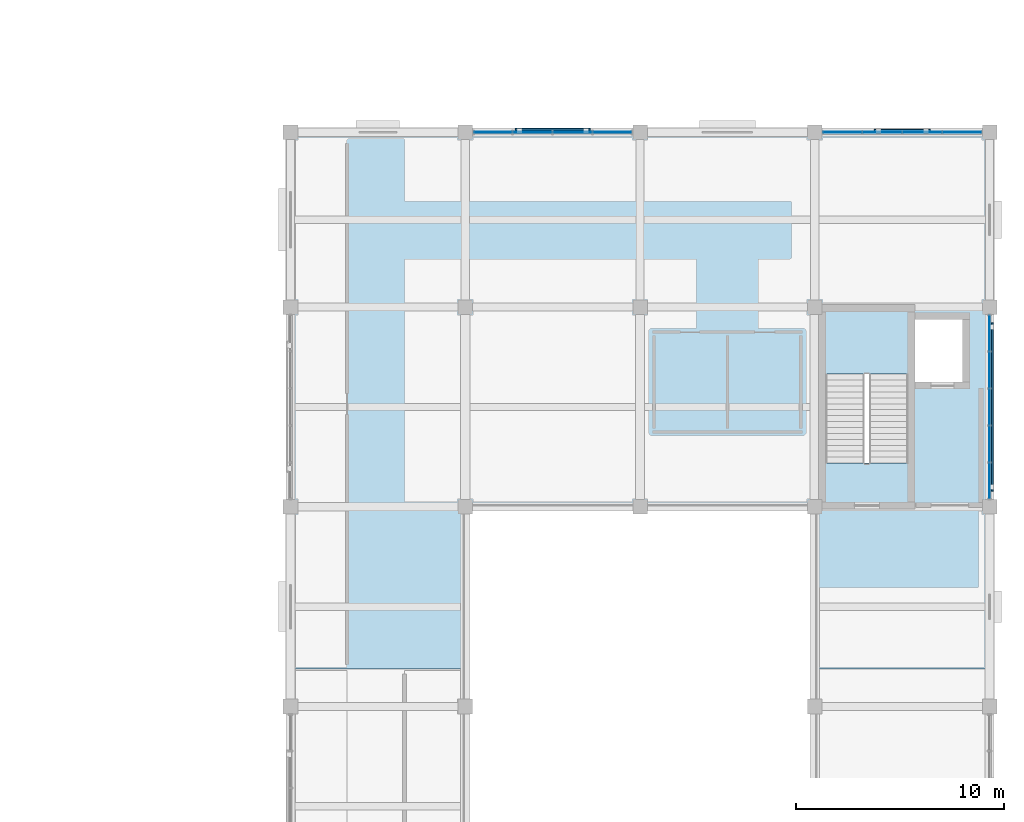
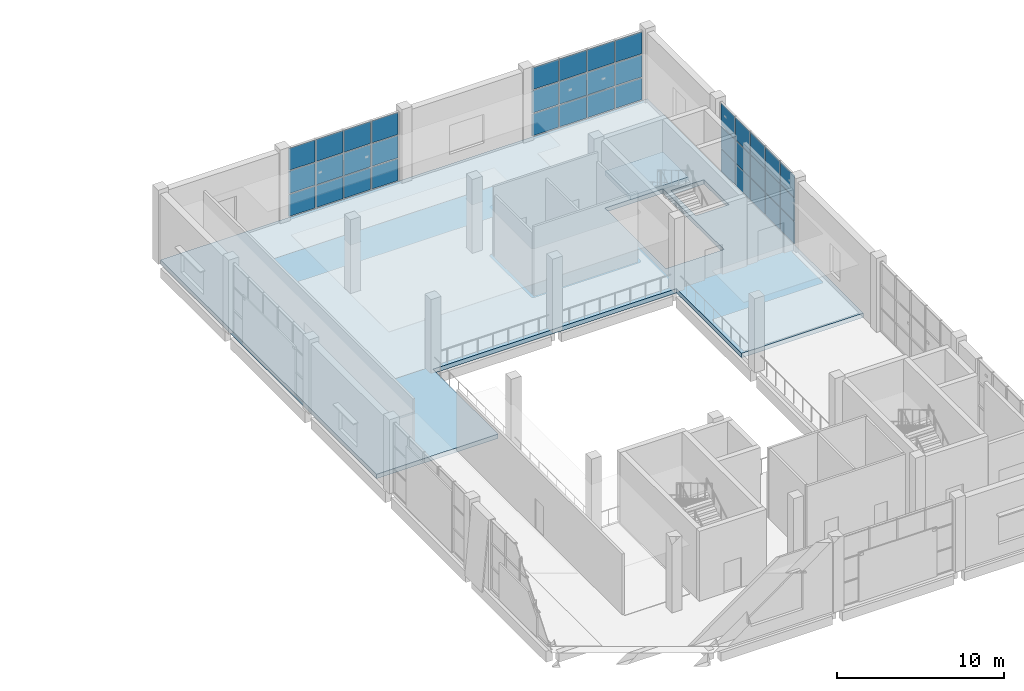
# One storey, part 43 of 72: 42 plates, 2 slabs, 4 elements without a shape of their own.
"""IFC4 building model written with IfcOpenShell, lengths in metres."""

from ifc_helpers import new_model, si_unit, direction, frame, origin, origin_2d, place, context, subcontext, project, spatial, polyline, rectangle, outline, extrude, material, layer, layer_set, type_object, element, aggregate, save


model = new_model("IFC4")

# Units and contexts
model_context = context("Model", 3, precision=1e-05, world=origin(), true_north=direction((0.0, 1.0)))
body_context = subcontext(model_context, "Body", "Model", "MODEL_VIEW")
ifc_project = project(units=[si_unit("LENGTHUNIT", "METRE"), si_unit("AREAUNIT", "SQUARE_METRE"), si_unit("VOLUMEUNIT", "CUBIC_METRE"), si_unit("PLANEANGLEUNIT", "RADIAN"), si_unit("MASSUNIT", "GRAM", prefix="KILO")], contexts=[model_context])

# Site, building, storey
site_placement = place(None, origin())
site = spatial("IfcSite", under=ifc_project, at=site_placement, CompositionType="ELEMENT")
building_placement = place(site_placement, origin())
building = spatial("IfcBuilding", under=site, at=building_placement, Name="Shalvenor Court Art Gallery", CompositionType="ELEMENT")
storey_placement = place(building_placement, frame((0.0, 0.0, 11.39990234375)))
storey = spatial("IfcBuildingStorey", under=building, at=storey_placement, Name="L02", CompositionType="ELEMENT", Elevation=11.39990234375)

# Curtain wall, plates
ifc_material_1 = material(Name="Anodised aluminium and low-iron glass curtain wall", Category="aluminium")
curtain_wall_type_1 = type_object("IfcCurtainWallType", Name="CW-4x3-77-51-422", PredefinedType="USERDEFINED", material=ifc_material_1)
curtain_wall_1_placement = place(storey_placement, origin())
curtain_wall_1 = element("IfcCurtainWall", 1, at=curtain_wall_1_placement, inside=storey, type_object=curtain_wall_type_1, Name="L02 V1 Curtain Wall CW-L02-010", ObjectType="CURTAIN WALL", PredefinedType="USERDEFINED")
ifc_material_2 = material(Name="Low-iron triple-silver solar gallery glazing IGU", Category="glass")
ifc_layer_1 = layer(ifc_material_2, 0.031982421875, Name="Low-iron triple-silver solar gallery glazing IGU")
ifc_layer_set_1 = layer_set([ifc_layer_1], Name="Low-iron triple-silver solar gallery glazing IGU")
plate_type_1 = type_object("IfcPlateType", Name="CWP-02", PredefinedType="CURTAIN_PANEL", material=ifc_layer_set_1)
plate_1_placement = place(storey_placement, frame((152.53125, 97.199951171875, 0.065185546875), z_axis=(0.0, 0.0, 1.0), x_axis=(1.0, 0.0, 0.0)))
plate_1 = element("IfcPlate", 2, at=plate_1_placement, type_object=plate_type_1, Name="CW-4x3-77-51-422 panel 1.1", PredefinedType="CURTAIN_PANEL", context=body_context, shape_type="SweptSolid", body=[
    extrude(rectangle(XDim=1.8125, YDim=0.031982421875, at=origin_2d()), origin(), (0.0, 0.0, 1.0), 1.6025390625),
])
plate_2_placement = place(storey_placement, frame((152.53125, 97.199951171875, 1.732421875), z_axis=(0.0, 0.0, 1.0), x_axis=(1.0, 0.0, 0.0)))
plate_2 = element("IfcPlate", 3, at=plate_2_placement, type_object=plate_type_1, Name="CW-4x3-77-51-422 panel 1.2", PredefinedType="CURTAIN_PANEL", context=body_context, shape_type="SweptSolid", body=[
    extrude(rectangle(XDim=1.8125, YDim=0.031982421875, at=origin_2d()), origin(), (0.0, 0.0, 1.0), 1.635009765625),
])
plate_3_placement = place(storey_placement, frame((152.53125, 97.199951171875, 3.4326171875), z_axis=(0.0, 0.0, 1.0), x_axis=(1.0, 0.0, 0.0)))
plate_3 = element("IfcPlate", 4, at=plate_3_placement, type_object=plate_type_1, Name="CW-4x3-77-51-422 panel 1.3", PredefinedType="CURTAIN_PANEL", context=body_context, shape_type="SweptSolid", body=[
    extrude(rectangle(XDim=1.8125, YDim=0.031982421875, at=origin_2d()), origin(), (0.0, 0.0, 1.0), 1.6025390625),
])
plate_4_placement = place(storey_placement, frame((154.4375, 97.199951171875, 0.065185546875), z_axis=(0.0, 0.0, 1.0), x_axis=(1.0, 0.0, 0.0)))
plate_4 = element("IfcPlate", 5, at=plate_4_placement, type_object=plate_type_1, Name="CW-4x3-77-51-422 panel 2.1", PredefinedType="CURTAIN_PANEL", context=body_context, shape_type="SweptSolid", body=[
    extrude(rectangle(XDim=1.85009765625, YDim=0.031982421875, at=origin_2d()), origin(), (0.0, 0.0, 1.0), 1.6025390625),
])
plate_5_placement = place(storey_placement, frame((154.4375, 97.199951171875, 1.732421875), z_axis=(0.0, 0.0, 1.0), x_axis=(1.0, 0.0, 0.0)))
plate_5 = element("IfcPlate", 6, at=plate_5_placement, type_object=plate_type_1, Name="CW-4x3-77-51-422 panel 2.2", PredefinedType="CURTAIN_PANEL", context=body_context, shape_type="SweptSolid", body=[
    extrude(rectangle(XDim=1.85009765625, YDim=0.031982421875, at=origin_2d()), origin(), (0.0, 0.0, 1.0), 1.635009765625),
])
plate_6_placement = place(storey_placement, frame((154.4375, 97.199951171875, 3.4326171875), z_axis=(0.0, 0.0, 1.0), x_axis=(1.0, 0.0, 0.0)))
plate_6 = element("IfcPlate", 7, at=plate_6_placement, type_object=plate_type_1, Name="CW-4x3-77-51-422 panel 2.3", PredefinedType="CURTAIN_PANEL", context=body_context, shape_type="SweptSolid", body=[
    extrude(rectangle(XDim=1.85009765625, YDim=0.031982421875, at=origin_2d()), origin(), (0.0, 0.0, 1.0), 1.6025390625),
])
plate_7_placement = place(storey_placement, frame((156.362548828125, 97.199951171875, 0.065185546875), z_axis=(0.0, 0.0, 1.0), x_axis=(1.0, 0.0, 0.0)))
plate_7 = element("IfcPlate", 8, at=plate_7_placement, type_object=plate_type_1, Name="CW-4x3-77-51-422 panel 3.1", PredefinedType="CURTAIN_PANEL", context=body_context, shape_type="SweptSolid", body=[
    extrude(rectangle(XDim=1.85009765625, YDim=0.031982421875, at=origin_2d()), origin(), (0.0, 0.0, 1.0), 1.6025390625),
])
plate_8_placement = place(storey_placement, frame((156.362548828125, 97.199951171875, 1.732421875), z_axis=(0.0, 0.0, 1.0), x_axis=(1.0, 0.0, 0.0)))
plate_8 = element("IfcPlate", 9, at=plate_8_placement, type_object=plate_type_1, Name="CW-4x3-77-51-422 panel 3.2", PredefinedType="CURTAIN_PANEL", context=body_context, shape_type="SweptSolid", body=[
    extrude(rectangle(XDim=1.85009765625, YDim=0.031982421875, at=origin_2d()), origin(), (0.0, 0.0, 1.0), 1.635009765625),
])
plate_9_placement = place(storey_placement, frame((156.362548828125, 97.199951171875, 3.4326171875), z_axis=(0.0, 0.0, 1.0), x_axis=(1.0, 0.0, 0.0)))
plate_9 = element("IfcPlate", 10, at=plate_9_placement, type_object=plate_type_1, Name="CW-4x3-77-51-422 panel 3.3", PredefinedType="CURTAIN_PANEL", context=body_context, shape_type="SweptSolid", body=[
    extrude(rectangle(XDim=1.85009765625, YDim=0.031982421875, at=origin_2d()), origin(), (0.0, 0.0, 1.0), 1.6025390625),
])
plate_10_placement = place(storey_placement, frame((158.268798828125, 97.199951171875, 0.065185546875), z_axis=(0.0, 0.0, 1.0), x_axis=(1.0, 0.0, 0.0)))
plate_10 = element("IfcPlate", 11, at=plate_10_placement, type_object=plate_type_1, Name="CW-4x3-77-51-422 panel 4.1", PredefinedType="CURTAIN_PANEL", context=body_context, shape_type="SweptSolid", body=[
    extrude(rectangle(XDim=1.8125, YDim=0.031982421875, at=origin_2d()), origin(), (0.0, 0.0, 1.0), 1.6025390625),
])
plate_11_placement = place(storey_placement, frame((158.268798828125, 97.199951171875, 1.732421875), z_axis=(0.0, 0.0, 1.0), x_axis=(1.0, 0.0, 0.0)))
plate_11 = element("IfcPlate", 12, at=plate_11_placement, type_object=plate_type_1, Name="CW-4x3-77-51-422 panel 4.2", PredefinedType="CURTAIN_PANEL", context=body_context, shape_type="SweptSolid", body=[
    extrude(rectangle(XDim=1.8125, YDim=0.031982421875, at=origin_2d()), origin(), (0.0, 0.0, 1.0), 1.635009765625),
])
plate_12_placement = place(storey_placement, frame((158.268798828125, 97.199951171875, 3.4326171875), z_axis=(0.0, 0.0, 1.0), x_axis=(1.0, 0.0, 0.0)))
plate_12 = element("IfcPlate", 13, at=plate_12_placement, type_object=plate_type_1, Name="CW-4x3-77-51-422 panel 4.3", PredefinedType="CURTAIN_PANEL", context=body_context, shape_type="SweptSolid", body=[
    extrude(rectangle(XDim=1.8125, YDim=0.031982421875, at=origin_2d()), origin(), (0.0, 0.0, 1.0), 1.6025390625),
])
aggregate(curtain_wall_1, [plate_1, plate_2, plate_3, plate_4, plate_5, plate_6, plate_7, plate_8, plate_9, plate_10, plate_11, plate_12])

ifc_material_3 = material(Name="Anodised aluminium and low-iron glass curtain wall", Category="aluminium")
curtain_wall_type_2 = type_object("IfcCurtainWallType", Name="CW-4x3-77-51-642", PredefinedType="USERDEFINED", material=ifc_material_3)
curtain_wall_2_placement = place(storey_placement, origin())
curtain_wall_2 = element("IfcCurtainWall", 14, at=curtain_wall_2_placement, inside=storey, type_object=curtain_wall_type_2, Name="L02 V1 Curtain Wall CW-L02-011", ObjectType="CURTAIN WALL", PredefinedType="USERDEFINED")
plate_13_placement = place(storey_placement, frame((169.326171875, 97.199951171875, 0.0703125), z_axis=(0.0, 0.0, 1.0), x_axis=(1.0, 0.0, 0.0)))
plate_13 = element("IfcPlate", 15, at=plate_13_placement, type_object=plate_type_1, Name="CW-4x3-77-51-642 panel 1.1", PredefinedType="CURTAIN_PANEL", context=body_context, shape_type="SweptSolid", body=[
    extrude(rectangle(XDim=1.842529296875, YDim=0.031982421875, at=origin_2d()), origin(), (0.0, 0.0, 1.0), 1.594970703125),
])
plate_14_placement = place(storey_placement, frame((169.326171875, 97.199951171875, 1.735107421875), z_axis=(0.0, 0.0, 1.0), x_axis=(1.0, 0.0, 0.0)))
plate_14 = element("IfcPlate", 16, at=plate_14_placement, type_object=plate_type_1, Name="CW-4x3-77-51-642 panel 1.2", PredefinedType="CURTAIN_PANEL", context=body_context, shape_type="SweptSolid", body=[
    extrude(rectangle(XDim=1.842529296875, YDim=0.031982421875, at=origin_2d()), origin(), (0.0, 0.0, 1.0), 1.6298828125),
])
plate_15_placement = place(storey_placement, frame((169.326171875, 97.199951171875, 3.43505859375), z_axis=(0.0, 0.0, 1.0), x_axis=(1.0, 0.0, 0.0)))
plate_15 = element("IfcPlate", 17, at=plate_15_placement, type_object=plate_type_1, Name="CW-4x3-77-51-642 panel 1.3", PredefinedType="CURTAIN_PANEL", context=body_context, shape_type="SweptSolid", body=[
    extrude(rectangle(XDim=1.842529296875, YDim=0.031982421875, at=origin_2d()), origin(), (0.0, 0.0, 1.0), 1.594970703125),
])
plate_16_placement = place(storey_placement, frame((171.237548828125, 97.199951171875, 0.0703125), z_axis=(0.0, 0.0, 1.0), x_axis=(1.0, 0.0, 0.0)))
plate_16 = element("IfcPlate", 18, at=plate_16_placement, type_object=plate_type_1, Name="CW-4x3-77-51-642 panel 2.1", PredefinedType="CURTAIN_PANEL", context=body_context, shape_type="SweptSolid", body=[
    extrude(rectangle(XDim=1.8701171875, YDim=0.031982421875, at=origin_2d()), origin(), (0.0, 0.0, 1.0), 1.594970703125),
])
plate_17_placement = place(storey_placement, frame((171.237548828125, 97.199951171875, 1.735107421875), z_axis=(0.0, 0.0, 1.0), x_axis=(1.0, 0.0, 0.0)))
plate_17 = element("IfcPlate", 19, at=plate_17_placement, type_object=plate_type_1, Name="CW-4x3-77-51-642 panel 2.2", PredefinedType="CURTAIN_PANEL", context=body_context, shape_type="SweptSolid", body=[
    extrude(rectangle(XDim=1.8701171875, YDim=0.031982421875, at=origin_2d()), origin(), (0.0, 0.0, 1.0), 1.6298828125),
])
plate_18_placement = place(storey_placement, frame((171.237548828125, 97.199951171875, 3.43505859375), z_axis=(0.0, 0.0, 1.0), x_axis=(1.0, 0.0, 0.0)))
plate_18 = element("IfcPlate", 20, at=plate_18_placement, type_object=plate_type_1, Name="CW-4x3-77-51-642 panel 2.3", PredefinedType="CURTAIN_PANEL", context=body_context, shape_type="SweptSolid", body=[
    extrude(rectangle(XDim=1.8701171875, YDim=0.031982421875, at=origin_2d()), origin(), (0.0, 0.0, 1.0), 1.594970703125),
])
plate_19_placement = place(storey_placement, frame((173.16259765625, 97.199951171875, 0.0703125), z_axis=(0.0, 0.0, 1.0), x_axis=(1.0, 0.0, 0.0)))
plate_19 = element("IfcPlate", 21, at=plate_19_placement, type_object=plate_type_1, Name="CW-4x3-77-51-642 panel 3.1", PredefinedType="CURTAIN_PANEL", context=body_context, shape_type="SweptSolid", body=[
    extrude(rectangle(XDim=1.8701171875, YDim=0.031982421875, at=origin_2d()), origin(), (0.0, 0.0, 1.0), 1.594970703125),
])
plate_20_placement = place(storey_placement, frame((173.16259765625, 97.199951171875, 1.735107421875), z_axis=(0.0, 0.0, 1.0), x_axis=(1.0, 0.0, 0.0)))
plate_20 = element("IfcPlate", 22, at=plate_20_placement, type_object=plate_type_1, Name="CW-4x3-77-51-642 panel 3.2", PredefinedType="CURTAIN_PANEL", context=body_context, shape_type="SweptSolid", body=[
    extrude(rectangle(XDim=1.8701171875, YDim=0.031982421875, at=origin_2d()), origin(), (0.0, 0.0, 1.0), 1.6298828125),
])
plate_21_placement = place(storey_placement, frame((173.16259765625, 97.199951171875, 3.43505859375), z_axis=(0.0, 0.0, 1.0), x_axis=(1.0, 0.0, 0.0)))
plate_21 = element("IfcPlate", 23, at=plate_21_placement, type_object=plate_type_1, Name="CW-4x3-77-51-642 panel 3.3", PredefinedType="CURTAIN_PANEL", context=body_context, shape_type="SweptSolid", body=[
    extrude(rectangle(XDim=1.8701171875, YDim=0.031982421875, at=origin_2d()), origin(), (0.0, 0.0, 1.0), 1.594970703125),
])
plate_22_placement = place(storey_placement, frame((175.07373046875, 97.199951171875, 0.0703125), z_axis=(0.0, 0.0, 1.0), x_axis=(1.0, 0.0, 0.0)))
plate_22 = element("IfcPlate", 24, at=plate_22_placement, type_object=plate_type_1, Name="CW-4x3-77-51-642 panel 4.1", PredefinedType="CURTAIN_PANEL", context=body_context, shape_type="SweptSolid", body=[
    extrude(rectangle(XDim=1.842529296875, YDim=0.031982421875, at=origin_2d()), origin(), (0.0, 0.0, 1.0), 1.594970703125),
])
plate_23_placement = place(storey_placement, frame((175.07373046875, 97.199951171875, 1.735107421875), z_axis=(0.0, 0.0, 1.0), x_axis=(1.0, 0.0, 0.0)))
plate_23 = element("IfcPlate", 25, at=plate_23_placement, type_object=plate_type_1, Name="CW-4x3-77-51-642 panel 4.2", PredefinedType="CURTAIN_PANEL", context=body_context, shape_type="SweptSolid", body=[
    extrude(rectangle(XDim=1.842529296875, YDim=0.031982421875, at=origin_2d()), origin(), (0.0, 0.0, 1.0), 1.6298828125),
])
plate_24_placement = place(storey_placement, frame((175.07373046875, 97.199951171875, 3.43505859375), z_axis=(0.0, 0.0, 1.0), x_axis=(1.0, 0.0, 0.0)))
plate_24 = element("IfcPlate", 26, at=plate_24_placement, type_object=plate_type_1, Name="CW-4x3-77-51-642 panel 4.3", PredefinedType="CURTAIN_PANEL", context=body_context, shape_type="SweptSolid", body=[
    extrude(rectangle(XDim=1.842529296875, YDim=0.031982421875, at=origin_2d()), origin(), (0.0, 0.0, 1.0), 1.594970703125),
])
aggregate(curtain_wall_2, [plate_13, plate_14, plate_15, plate_16, plate_17, plate_18, plate_19, plate_20, plate_21, plate_22, plate_23, plate_24])

ifc_material_4 = material(Name="Anodised aluminium and low-iron glass curtain wall", Category="aluminium")
curtain_wall_type_3 = type_object("IfcCurtainWallType", Name="CW-5x3-89-51-112", PredefinedType="USERDEFINED", material=ifc_material_4)
curtain_wall_3_placement = place(storey_placement, origin())
curtain_wall_3 = element("IfcCurtainWall", 27, at=curtain_wall_3_placement, inside=storey, type_object=curtain_wall_type_3, Name="L02 V1 Curtain Wall CW-L02-012", ObjectType="CURTAIN WALL", PredefinedType="USERDEFINED")
plate_25_placement = place(storey_placement, frame((176.39990234375, 87.543701171875, 0.06005859375), z_axis=(0.0, 0.0, 1.0), x_axis=(0.0, -1.0, 0.0)))
plate_25 = element("IfcPlate", 28, at=plate_25_placement, type_object=plate_type_1, Name="CW-5x3-89-51-112 panel 1.1", PredefinedType="CURTAIN_PANEL", context=body_context, shape_type="SweptSolid", body=[
    extrude(rectangle(XDim=1.6826171875, YDim=0.031982421875, at=origin_2d()), origin(), (0.0, 0.0, 1.0), 1.610107421875),
])
plate_26_placement = place(storey_placement, frame((176.39990234375, 87.543701171875, 1.72998046875), z_axis=(0.0, 0.0, 1.0), x_axis=(0.0, -1.0, 0.0)))
plate_26 = element("IfcPlate", 29, at=plate_26_placement, type_object=plate_type_1, Name="CW-5x3-89-51-112 panel 1.2", PredefinedType="CURTAIN_PANEL", context=body_context, shape_type="SweptSolid", body=[
    extrude(rectangle(XDim=1.6826171875, YDim=0.031982421875, at=origin_2d()), origin(), (0.0, 0.0, 1.0), 1.639892578125),
])
plate_27_placement = place(storey_placement, frame((176.39990234375, 87.543701171875, 3.43017578125), z_axis=(0.0, 0.0, 1.0), x_axis=(0.0, -1.0, 0.0)))
plate_27 = element("IfcPlate", 30, at=plate_27_placement, type_object=plate_type_1, Name="CW-5x3-89-51-112 panel 1.3", PredefinedType="CURTAIN_PANEL", context=body_context, shape_type="SweptSolid", body=[
    extrude(rectangle(XDim=1.6826171875, YDim=0.031982421875, at=origin_2d()), origin(), (0.0, 0.0, 1.0), 1.610107421875),
])
plate_28_placement = place(storey_placement, frame((176.39990234375, 85.780029296875, 0.06005859375), z_axis=(0.0, 0.0, 1.0), x_axis=(0.0, -1.0, 0.0)))
plate_28 = element("IfcPlate", 31, at=plate_28_placement, type_object=plate_type_1, Name="CW-5x3-89-51-112 panel 2.1", PredefinedType="CURTAIN_PANEL", context=body_context, shape_type="SweptSolid", body=[
    extrude(rectangle(XDim=1.715087890625, YDim=0.031982421875, at=origin_2d()), origin(), (0.0, 0.0, 1.0), 1.610107421875),
])
plate_29_placement = place(storey_placement, frame((176.39990234375, 85.780029296875, 1.72998046875), z_axis=(0.0, 0.0, 1.0), x_axis=(0.0, -1.0, 0.0)))
plate_29 = element("IfcPlate", 32, at=plate_29_placement, type_object=plate_type_1, Name="CW-5x3-89-51-112 panel 2.2", PredefinedType="CURTAIN_PANEL", context=body_context, shape_type="SweptSolid", body=[
    extrude(rectangle(XDim=1.715087890625, YDim=0.031982421875, at=origin_2d()), origin(), (0.0, 0.0, 1.0), 1.639892578125),
])
plate_30_placement = place(storey_placement, frame((176.39990234375, 85.780029296875, 3.43017578125), z_axis=(0.0, 0.0, 1.0), x_axis=(0.0, -1.0, 0.0)))
plate_30 = element("IfcPlate", 33, at=plate_30_placement, type_object=plate_type_1, Name="CW-5x3-89-51-112 panel 2.3", PredefinedType="CURTAIN_PANEL", context=body_context, shape_type="SweptSolid", body=[
    extrude(rectangle(XDim=1.715087890625, YDim=0.031982421875, at=origin_2d()), origin(), (0.0, 0.0, 1.0), 1.610107421875),
])
plate_31_placement = place(storey_placement, frame((176.39990234375, 84.0, 0.06005859375), z_axis=(0.0, 0.0, 1.0), x_axis=(0.0, -1.0, 0.0)))
plate_31 = element("IfcPlate", 34, at=plate_31_placement, type_object=plate_type_1, Name="CW-5x3-89-51-112 panel 3.1", PredefinedType="CURTAIN_PANEL", context=body_context, shape_type="SweptSolid", body=[
    extrude(rectangle(XDim=1.715087890625, YDim=0.031982421875, at=origin_2d()), origin(), (0.0, 0.0, 1.0), 1.610107421875),
])
plate_32_placement = place(storey_placement, frame((176.39990234375, 84.0, 1.72998046875), z_axis=(0.0, 0.0, 1.0), x_axis=(0.0, -1.0, 0.0)))
plate_32 = element("IfcPlate", 35, at=plate_32_placement, type_object=plate_type_1, Name="CW-5x3-89-51-112 panel 3.2", PredefinedType="CURTAIN_PANEL", context=body_context, shape_type="SweptSolid", body=[
    extrude(rectangle(XDim=1.715087890625, YDim=0.031982421875, at=origin_2d()), origin(), (0.0, 0.0, 1.0), 1.639892578125),
])
plate_33_placement = place(storey_placement, frame((176.39990234375, 84.0, 3.43017578125), z_axis=(0.0, 0.0, 1.0), x_axis=(0.0, -1.0, 0.0)))
plate_33 = element("IfcPlate", 36, at=plate_33_placement, type_object=plate_type_1, Name="CW-5x3-89-51-112 panel 3.3", PredefinedType="CURTAIN_PANEL", context=body_context, shape_type="SweptSolid", body=[
    extrude(rectangle(XDim=1.715087890625, YDim=0.031982421875, at=origin_2d()), origin(), (0.0, 0.0, 1.0), 1.610107421875),
])
plate_34_placement = place(storey_placement, frame((176.39990234375, 82.219970703125, 0.06005859375), z_axis=(0.0, 0.0, 1.0), x_axis=(0.0, -1.0, 0.0)))
plate_34 = element("IfcPlate", 37, at=plate_34_placement, type_object=plate_type_1, Name="CW-5x3-89-51-112 panel 4.1", PredefinedType="CURTAIN_PANEL", context=body_context, shape_type="SweptSolid", body=[
    extrude(rectangle(XDim=1.715087890625, YDim=0.031982421875, at=origin_2d()), origin(), (0.0, 0.0, 1.0), 1.610107421875),
])
plate_35_placement = place(storey_placement, frame((176.39990234375, 82.219970703125, 1.72998046875), z_axis=(0.0, 0.0, 1.0), x_axis=(0.0, -1.0, 0.0)))
plate_35 = element("IfcPlate", 38, at=plate_35_placement, type_object=plate_type_1, Name="CW-5x3-89-51-112 panel 4.2", PredefinedType="CURTAIN_PANEL", context=body_context, shape_type="SweptSolid", body=[
    extrude(rectangle(XDim=1.715087890625, YDim=0.031982421875, at=origin_2d()), origin(), (0.0, 0.0, 1.0), 1.639892578125),
])
plate_36_placement = place(storey_placement, frame((176.39990234375, 82.219970703125, 3.43017578125), z_axis=(0.0, 0.0, 1.0), x_axis=(0.0, -1.0, 0.0)))
plate_36 = element("IfcPlate", 39, at=plate_36_placement, type_object=plate_type_1, Name="CW-5x3-89-51-112 panel 4.3", PredefinedType="CURTAIN_PANEL", context=body_context, shape_type="SweptSolid", body=[
    extrude(rectangle(XDim=1.715087890625, YDim=0.031982421875, at=origin_2d()), origin(), (0.0, 0.0, 1.0), 1.610107421875),
])
plate_37_placement = place(storey_placement, frame((176.39990234375, 80.456298828125, 0.06005859375), z_axis=(0.0, 0.0, 1.0), x_axis=(0.0, -1.0, 0.0)))
plate_37 = element("IfcPlate", 40, at=plate_37_placement, type_object=plate_type_1, Name="CW-5x3-89-51-112 panel 5.1", PredefinedType="CURTAIN_PANEL", context=body_context, shape_type="SweptSolid", body=[
    extrude(rectangle(XDim=1.6826171875, YDim=0.031982421875, at=origin_2d()), origin(), (0.0, 0.0, 1.0), 1.610107421875),
])
plate_38_placement = place(storey_placement, frame((176.39990234375, 80.456298828125, 1.72998046875), z_axis=(0.0, 0.0, 1.0), x_axis=(0.0, -1.0, 0.0)))
plate_38 = element("IfcPlate", 41, at=plate_38_placement, type_object=plate_type_1, Name="CW-5x3-89-51-112 panel 5.2", PredefinedType="CURTAIN_PANEL", context=body_context, shape_type="SweptSolid", body=[
    extrude(rectangle(XDim=1.6826171875, YDim=0.031982421875, at=origin_2d()), origin(), (0.0, 0.0, 1.0), 1.639892578125),
])
plate_39_placement = place(storey_placement, frame((176.39990234375, 80.456298828125, 3.43017578125), z_axis=(0.0, 0.0, 1.0), x_axis=(0.0, -1.0, 0.0)))
plate_39 = element("IfcPlate", 42, at=plate_39_placement, type_object=plate_type_1, Name="CW-5x3-89-51-112 panel 5.3", PredefinedType="CURTAIN_PANEL", context=body_context, shape_type="SweptSolid", body=[
    extrude(rectangle(XDim=1.6826171875, YDim=0.031982421875, at=origin_2d()), origin(), (0.0, 0.0, 1.0), 1.610107421875),
])
aggregate(curtain_wall_3, [plate_25, plate_26, plate_27, plate_28, plate_29, plate_30, plate_31, plate_32, plate_33, plate_34, plate_35, plate_36, plate_37, plate_38, plate_39])

# Slab
ifc_material_5 = material(Name="Concrete C40/50", Category="concrete")
ifc_layer_2 = layer(ifc_material_5, 0.320068359375, Name="Concrete C40/50")
ifc_layer_set_2 = layer_set([ifc_layer_2], Name="Concrete C40/50")
slab_type_1 = type_object("IfcSlabType", Name="FS-320", PredefinedType="FLOOR", material=ifc_layer_set_2)
slab_1_placement = place(storey_placement, frame((0.0, 0.0, -0.31982421875)))
element("IfcSlab", 43, at=slab_1_placement, inside=storey, type_object=slab_type_1, Name="L02 V1 Floor Slab 2", PredefinedType="FLOOR", context=body_context, shape_type="SweptSolid", body=[
    extrude(outline(polyline([(176.39990234375, 71.39990234375), (168.0, 71.39990234375), (168.0, 79.199951171875), (151.199951171875, 79.199951171875), (151.199951171875, 71.39990234375), (142.800048828125, 71.39990234375), (142.800048828125, 97.199951171875), (176.39990234375, 97.199951171875), (176.39990234375, 71.39990234375)]), holes=[polyline([(168.5, 81.31103515625), (172.5, 81.31103515625), (172.5, 88.60009765625), (168.5, 88.60009765625), (168.5, 81.31103515625)]), polyline([(175.10009765625, 85.199951171875), (175.10009765625, 88.199951171875), (172.81201171875, 88.199951171875), (172.81201171875, 85.199951171875), (175.10009765625, 85.199951171875)])]), origin(), (0.0, 0.0, 1.0), 0.31982421875),
])

# Plates
ifc_material_6 = material(Name="Perforated pale limestone GRC lattice", Category="masonry")
ifc_layer_3 = layer(ifc_material_6, 0.090087890625, Name="Perforated pale limestone GRC lattice")
ifc_layer_set_3 = layer_set([ifc_layer_3], Name="Perforated pale limestone GRC lattice")
plate_type_2 = type_object("IfcPlateType", Name="SCR-10", PredefinedType="USERDEFINED", material=ifc_layer_set_3)
plate_40_placement = place(storey_placement, frame((155.39990234375, 97.35302734375, 0.0), z_axis=(0.0, 0.0, 1.0), x_axis=(1.0, 0.0, 0.0)))
element("IfcPlate", 44, at=plate_40_placement, inside=storey, type_object=plate_type_2, Name="L02 V1 Perforated Stone Lattice Screen PLT-SCR-0010", ObjectType="SCREEN", PredefinedType="USERDEFINED", context=body_context, shape_type="SweptSolid", body=[
    extrude(rectangle(XDim=3.60009765625, YDim=0.090087890625, at=origin_2d()), origin(), (0.0, 0.0, 1.0), 2.699951171875),
])
ifc_material_7 = material(Name="Perforated pale limestone GRC lattice", Category="masonry")
ifc_layer_4 = layer(ifc_material_7, 0.094970703125, Name="Perforated pale limestone GRC lattice")
ifc_layer_set_4 = layer_set([ifc_layer_4], Name="Perforated pale limestone GRC lattice")
plate_type_3 = type_object("IfcPlateType", Name="SCR-12", PredefinedType="USERDEFINED", material=ifc_layer_set_4)
plate_41_placement = place(storey_placement, frame((176.535400390625, 84.0, 0.0), z_axis=(0.0, 0.0, 1.0), x_axis=(0.0, -1.0, 0.0)))
element("IfcPlate", 45, at=plate_41_placement, inside=storey, type_object=plate_type_3, Name="L02 V1 Perforated Stone Lattice Screen PLT-SCR-0012", ObjectType="SCREEN", PredefinedType="USERDEFINED", context=body_context, shape_type="SweptSolid", body=[
    extrude(rectangle(XDim=8.10009765625, YDim=0.094970703125, at=origin_2d()), origin(), (0.0, 0.0, 1.0), 4.5),
])
ifc_material_8 = material(Name="Perforated pale limestone GRC lattice", Category="masonry")
ifc_layer_5 = layer(ifc_material_8, 0.0849609375, Name="Perforated pale limestone GRC lattice")
ifc_layer_set_5 = layer_set([ifc_layer_5], Name="Perforated pale limestone GRC lattice")
plate_type_4 = type_object("IfcPlateType", Name="SCR-13", PredefinedType="USERDEFINED", material=ifc_layer_set_5)
plate_42_placement = place(storey_placement, frame((172.199951171875, 97.310546875, 0.0), z_axis=(0.0, 0.0, 1.0), x_axis=(1.0, 0.0, 0.0)))
element("IfcPlate", 46, at=plate_42_placement, inside=storey, type_object=plate_type_4, Name="L02 V1 Perforated Stone Lattice Screen PLT-SCR-0011", ObjectType="SCREEN", PredefinedType="USERDEFINED", context=body_context, shape_type="SweptSolid", body=[
    extrude(rectangle(XDim=2.699951171875, YDim=0.0849609375, at=origin_2d()), origin(), (0.0, 0.0, 1.0), 2.699951171875),
])

# Stair, slab
ifc_material_9 = material(Name="Concrete C40/50", Category="concrete")
stair_type = type_object("IfcStairType", Name="ST-DL-32R-1900", PredefinedType="HALF_TURN_STAIR", material=ifc_material_9)
stair_placement = place(storey_placement, origin())
stair = element("IfcStair", 47, at=stair_placement, inside=storey, type_object=stair_type, Name="L02 Core Dogleg Stair ST-01", PredefinedType="HALF_TURN_STAIR")
ifc_material_10 = material(Name="Concrete C40/50", Category="concrete")
ifc_layer_6 = layer(ifc_material_10, 0.300048828125, Name="Concrete C40/50")
ifc_layer_set_6 = layer_set([ifc_layer_6], Name="Concrete C40/50")
slab_type_2 = type_object("IfcSlabType", Name="SLD-300", PredefinedType="LANDING", material=ifc_layer_set_6)
slab_2_placement = place(storey_placement, frame((0.0, 0.0, 2.400146484375)))
slab_2 = element("IfcSlab", 48, at=slab_2_placement, type_object=slab_type_2, Name="ST-DL-32R-1900 landing 1", PredefinedType="LANDING", context=body_context, shape_type="SweptSolid", body=[
    extrude(outline(polyline([(172.5, 85.574951171875), (172.5, 88.60009765625), (168.5, 88.60009765625), (168.5, 85.574951171875), (172.5, 85.574951171875)])), origin(), (0.0, 0.0, 1.0), 0.300048828125),
])
aggregate(stair, [slab_2])

save(model, "model.ifc")
